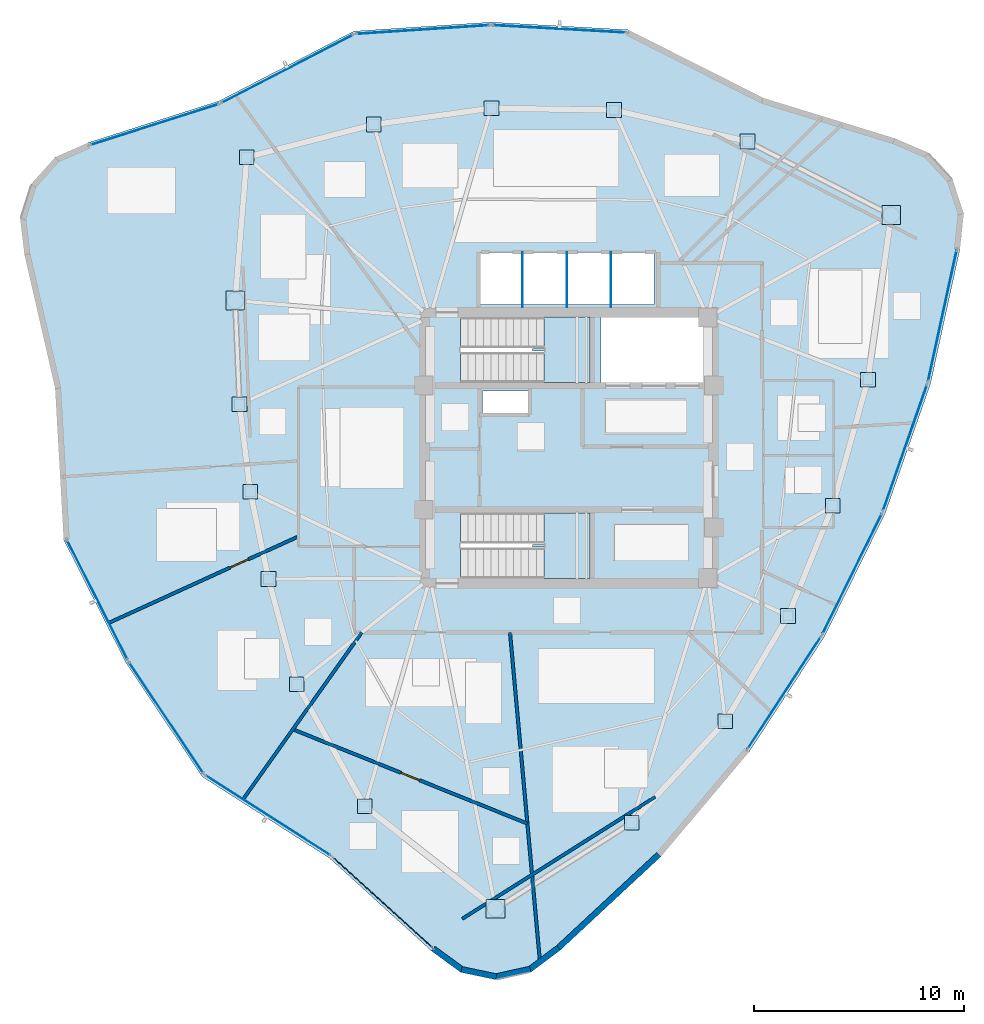
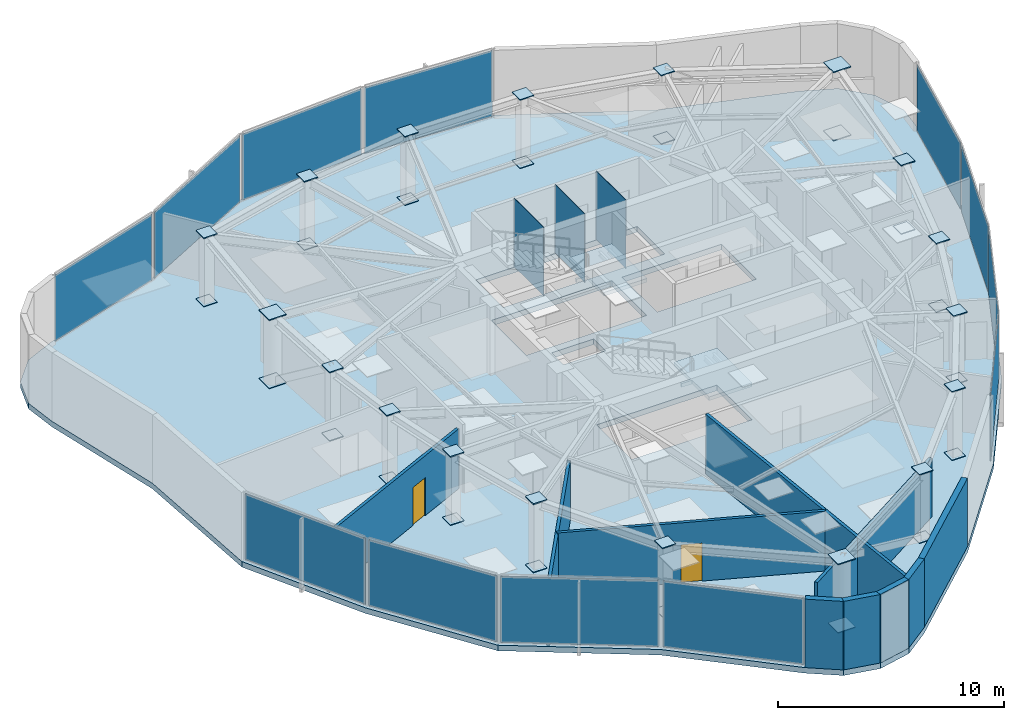
# One storey, part 7 of 13: 51 plates, 10 walls, 3 slabs, 2 doors, 2 openings, 14 elements without a shape of their own.
"""IFC4 building model written with IfcOpenShell, lengths in metres."""

from ifc_helpers import new_model, si_unit, direction, frame, frame_2d, origin, origin_2d, place, context, subcontext, project, spatial, polyline, rectangle, outline, extrude, source, transform, mapped, material, layer, layer_set, type_object, type_shapes, element, fill, aggregate, save


model = new_model("IFC4")

# Units and contexts
model_context = context("Model", 3, precision=1e-05, world=origin(), true_north=direction((0.0, 1.0)))
body_context = subcontext(model_context, "Body", "Model", "MODEL_VIEW")
ifc_project = project(units=[si_unit("LENGTHUNIT", "METRE"), si_unit("AREAUNIT", "SQUARE_METRE"), si_unit("VOLUMEUNIT", "CUBIC_METRE"), si_unit("PLANEANGLEUNIT", "RADIAN"), si_unit("MASSUNIT", "GRAM", prefix="KILO")], contexts=[model_context])

# Site, building, storey
site_placement = place(None, origin())
site = spatial("IfcSite", under=ifc_project, at=site_placement, CompositionType="ELEMENT")
building_placement = place(site_placement, origin())
building = spatial("IfcBuilding", under=site, at=building_placement, Name="Tavelor Broadcast Tower", CompositionType="ELEMENT")
storey_placement = place(building_placement, frame((0.0, 0.0, 297.5)))
storey = spatial("IfcBuildingStorey", under=building, at=storey_placement, Name="L71", CompositionType="ELEMENT", Elevation=297.5)

# Stair, slab
ifc_material_1 = material(Name="Concrete C40/50", Category="concrete")
stair_type = type_object("IfcStairType", Name="Reinforced Concrete Protected Dogleg Stair 1450 mm", PredefinedType="HALF_TURN_STAIR", material=ifc_material_1)
stair_1_placement = place(storey_placement, origin())
stair_1 = element("IfcStair", 1, at=stair_1_placement, inside=storey, type_object=stair_type, Name="L71 Protected Core Exit Stair ST1", PredefinedType="HALF_TURN_STAIR")
ifc_layer_1 = layer(ifc_material_1, 0.199951171875)
ifc_layer_set_1 = layer_set([ifc_layer_1], Name="Concrete C40/50")
slab_type_1 = type_object("IfcSlabType", Name="Reinforced Concrete Stair Half-Landing Slab 200 mm", PredefinedType="LANDING", material=ifc_layer_set_1)
slab_1_placement = place(storey_placement, frame((0.0, 0.0, 1.800048828125)))
slab_1 = element("IfcSlab", 2, at=slab_1_placement, type_object=slab_type_1, Name="ST1 landing 1", PredefinedType="LANDING", context=body_context, shape_type="SweptSolid", body=[
    extrude(outline(polyline([(48.804931640625, 49.590087890625), (48.804931640625, 48.094970703125), (51.0048828125, 48.094970703125), (51.0048828125, 51.205078125), (48.804931640625, 51.205078125), (48.804931640625, 49.7099609375), (48.264892578125, 49.7099609375), (48.264892578125, 49.590087890625), (48.804931640625, 49.590087890625)])), origin(), (0.0, 0.0, 1.0), 0.199951171875),
])
aggregate(stair_1, [slab_1])

stair_2_placement = place(storey_placement, origin())
stair_2 = element("IfcStair", 3, at=stair_2_placement, inside=storey, type_object=stair_type, Name="L71 Protected Core Exit Stair ST2", PredefinedType="HALF_TURN_STAIR")
slab_2_placement = place(storey_placement, frame((0.0, 0.0, 1.800048828125)))
slab_2 = element("IfcSlab", 4, at=slab_2_placement, type_object=slab_type_1, Name="ST2 landing 1", PredefinedType="LANDING", context=body_context, shape_type="SweptSolid", body=[
    extrude(outline(polyline([(48.804931640625, 40.2900390625), (48.804931640625, 38.794921875), (51.0048828125, 38.794921875), (51.0048828125, 41.905029296875), (48.804931640625, 41.905029296875), (48.804931640625, 40.409912109375), (48.264892578125, 40.409912109375), (48.264892578125, 40.2900390625), (48.804931640625, 40.2900390625)])), origin(), (0.0, 0.0, 1.0), 0.199951171875),
])
aggregate(stair_2, [slab_2])

# Slab
ifc_layer_2 = layer(ifc_material_1, 0.300048828125)
ifc_layer_set_2 = layer_set([ifc_layer_2], Name="Concrete C40/50")
slab_type_2 = type_object("IfcSlabType", Name="Tower Composite Floor Slab 300 mm", PredefinedType="FLOOR", material=ifc_layer_set_2)
slab_3_placement = place(storey_placement, frame((0.0, 0.0, -0.300048828125)))
element("IfcSlab", 5, at=slab_3_placement, inside=storey, type_object=slab_type_2, Name="L71 Structural Floor Slab", PredefinedType="FLOOR", context=body_context, shape_type="SweptSolid", body=[
    extrude(outline(polyline([(27.148193359375, 59.501220703125), (25.578857421875, 58.807373046875), (24.43408203125, 57.529296875), (23.91650390625, 55.89306640625), (24.118408203125, 54.189208984375), (25.5791015625, 47.823486328125), (25.986083984375, 40.62158203125), (28.93359375, 34.79345703125), (32.564453125, 29.364501953125), (38.638671875, 25.474609375), (43.467529296875, 21.076904296875), (44.85302734375, 20.064697265625), (46.532470703125, 19.71240234375), (48.2080078125, 20.082275390625), (49.582763671875, 21.10888671875), (54.365234375, 25.556884765625), (58.574462890625, 30.55078125), (62.148193359375, 36.017333984375), (65.034423828125, 41.876220703125), (67.190185546875, 48.041259765625), (68.584228515625, 54.422119140625), (68.76806640625, 56.1279296875), (68.2333984375, 57.758544921875), (67.075439453125, 59.024658203125), (65.498779296875, 59.701904296875), (59.255615234375, 61.619873046875), (52.815185546875, 64.867919921875), (46.294189453125, 65.229736328125), (39.777099609375, 64.7998046875), (33.37109375, 61.484130859375), (27.148193359375, 59.501220703125)]), holes=[polyline([(50.99609375, 41.89599609375), (50.99609375, 38.803955078125), (44.85400390625, 38.803955078125), (44.85400390625, 41.89599609375), (50.99609375, 41.89599609375)]), polyline([(48.050048828125, 47.699951171875), (48.050048828125, 46.64990234375), (45.89990234375, 46.64990234375), (45.89990234375, 47.699951171875), (48.050048828125, 47.699951171875)]), polyline([(50.99609375, 51.196044921875), (50.99609375, 48.10400390625), (44.85400390625, 48.10400390625), (44.85400390625, 51.196044921875), (50.99609375, 51.196044921875)]), polyline([(56.60009765625, 48.10009765625), (51.52001953125, 48.10009765625), (51.52001953125, 51.199951171875), (56.60009765625, 51.199951171875), (56.60009765625, 48.10009765625)]), polyline([(54.050048828125, 51.800048828125), (45.800048828125, 51.800048828125), (45.800048828125, 54.25), (54.050048828125, 54.25), (54.050048828125, 51.800048828125)])]), origin(), (0.0, 0.0, 1.0), 0.300048828125),
])

# Plates
ifc_material_2 = material(Name="Steel S460", Category="steel")
ifc_layer_3 = layer(ifc_material_2, 0.050048828125)
ifc_layer_set_3 = layer_set([ifc_layer_3], Name="Steel S460")
plate_type_1 = type_object("IfcPlateType", Name="Tube Hollow-End Cap Plate KN05 700x700x50", PredefinedType="USERDEFINED", material=ifc_layer_set_3)
shared_shape_1 = source(origin(), body_context, "Body", "SweptSolid", [
    extrude(rectangle(XDim=0.699951171875, YDim=0.699951171875, at=origin_2d()), origin(), (0.0, 0.0, 1.0), 0.054931640625),
])
for number, where, z_axis, x_axis, name in (
    (6, (34.341552734375, 47.061279296875, -0.02734375), (0.0, 0.0, 1.0), (1.0, 0.0, 0.0), "L71 Hollow End Cap Plate KN05 #2139"),
    (7, (34.341552734375, 47.061279296875, 3.67236328125), (0.0, 0.0, 1.0), (1.0, 0.0, 0.0), "L71 Hollow End Cap Plate KN05 #2140"),
    (8, (34.85400390625, 42.90185546875, -0.02734375), (0.0, 0.0, 1.0), (1.0, 0.0, 0.0), "L71 Hollow End Cap Plate KN05 #2141"),
    (9, (34.85400390625, 42.90185546875, 3.67236328125), (0.0, 0.0, 1.0), (1.0, 0.0, 0.0), "L71 Hollow End Cap Plate KN05 #2142"),
    (10, (35.716552734375, 38.757080078125, -0.02734375), (0.0, 0.0, 1.0), (1.0, 0.0, 0.0), "L71 Hollow End Cap Plate KN05 #2143"),
    (11, (35.716552734375, 38.757080078125, 3.67236328125), (0.0, 0.0, 1.0), (1.0, 0.0, 0.0), "L71 Hollow End Cap Plate KN05 #2144"),
    (12, (37.068115234375, 33.759521484375, -0.02734375), (0.0, 0.0, 1.0), (1.0, 0.0, 0.0), "L71 Hollow End Cap Plate KN05 #2145"),
    (13, (37.068115234375, 33.759521484375, 3.67236328125), (0.0, 0.0, 1.0), (1.0, 0.0, 0.0), "L71 Hollow End Cap Plate KN05 #2146"),
    (14, (40.29638671875, 27.95361328125, -0.02734375), (0.0, 0.0, 1.0), (1.0, 0.0, 0.0), "L71 Hollow End Cap Plate KN05 #2147"),
    (15, (40.29638671875, 27.95361328125, 3.67236328125), (0.0, 0.0, 1.0), (1.0, 0.0, 0.0), "L71 Hollow End Cap Plate KN05 #2148"),
    (16, (52.992919921875, 27.1767578125, -0.02734375), (0.0, 0.0, 1.0), (1.0, 0.0, 0.0), "L71 Hollow End Cap Plate KN05 #2151"),
    (17, (52.992919921875, 27.1767578125, 3.67236328125), (0.0, 0.0, 1.0), (1.0, 0.0, 0.0), "L71 Hollow End Cap Plate KN05 #2152"),
    (18, (57.431396484375, 31.9921875, -0.02734375), (0.0, 0.0, 1.0), (1.0, 0.0, 0.0), "L71 Hollow End Cap Plate KN05 #2153"),
    (19, (57.431396484375, 31.9921875, 3.67236328125), (0.0, 0.0, 1.0), (1.0, 0.0, 0.0), "L71 Hollow End Cap Plate KN05 #2154"),
    (20, (60.41748046875, 37.00439453125, -0.02734375), (0.0, 0.0, 1.0), (1.0, 0.0, 0.0), "L71 Hollow End Cap Plate KN05 #2155"),
    (21, (60.41748046875, 37.00439453125, 3.67236328125), (0.0, 0.0, 1.0), (1.0, 0.0, 0.0), "L71 Hollow End Cap Plate KN05 #2156"),
    (22, (62.543701171875, 42.240478515625, -0.02734375), (0.0, 0.0, 1.0), (1.0, 0.0, 0.0), "L71 Hollow End Cap Plate KN05 #2157"),
    (23, (62.543701171875, 42.240478515625, 3.67236328125), (0.0, 0.0, 1.0), (1.0, 0.0, 0.0), "L71 Hollow End Cap Plate KN05 #2158"),
    (24, (64.21435546875, 48.2373046875, -0.02734375), (0.0, 0.0, 1.0), (1.0, 0.0, 0.0), "L71 Hollow End Cap Plate KN05 #2159"),
    (25, (64.21435546875, 48.2373046875, 3.67236328125), (0.0, 0.0, 1.0), (1.0, 0.0, 0.0), "L71 Hollow End Cap Plate KN05 #2160"),
    (26, (58.485595703125, 59.55712890625, -0.02734375), (0.0, 0.0, 1.0), (1.0, 0.0, 0.0), "L71 Hollow End Cap Plate KN05 #2163"),
    (27, (58.485595703125, 59.55712890625, 3.67236328125), (0.0, 0.0, 1.0), (1.0, 0.0, 0.0), "L71 Hollow End Cap Plate KN05 #2164"),
    (28, (52.147216796875, 61.05078125, -0.02734375), (0.0, 0.0, 1.0), (1.0, 0.0, 0.0), "L71 Hollow End Cap Plate KN05 #2165"),
    (29, (52.147216796875, 61.05078125, 3.67236328125), (0.0, 0.0, 1.0), (1.0, 0.0, 0.0), "L71 Hollow End Cap Plate KN05 #2166"),
    (30, (46.3154296875, 61.13720703125, -0.02734375), (0.0, 0.0, 1.0), (1.0, 0.0, 0.0), "L71 Hollow End Cap Plate KN05 #2167"),
    (31, (46.3154296875, 61.13720703125, 3.67236328125), (0.0, 0.0, 1.0), (1.0, 0.0, 0.0), "L71 Hollow End Cap Plate KN05 #2168"),
    (32, (40.718017578125, 60.36083984375, -0.02734375), (0.0, 0.0, 1.0), (1.0, 0.0, 0.0), "L71 Hollow End Cap Plate KN05 #2169"),
    (33, (40.718017578125, 60.36083984375, 3.67236328125), (0.0, 0.0, 1.0), (1.0, 0.0, 0.0), "L71 Hollow End Cap Plate KN05 #2170"),
    (34, (34.689208984375, 58.80908203125, -0.02734375), (0.0, 0.0, 1.0), (1.0, 0.0, 0.0), "L71 Hollow End Cap Plate KN05 #2171"),
    (35, (34.689208984375, 58.80908203125, 3.67236328125), (0.0, 0.0, 1.0), (1.0, 0.0, 0.0), "L71 Hollow End Cap Plate KN05 #2172"),
):
    element("IfcPlate", number, at=place(storey_placement, frame(where, z_axis=z_axis, x_axis=x_axis)), inside=storey, type_object=plate_type_1, Name=name, ObjectType="CAP PLATE", PredefinedType="USERDEFINED", context=body_context, shape_type="MappedRepresentation", body=[
        mapped(shared_shape_1, transform((0.0, 0.0, 0.0), scale=1.0)),
    ])
shared_shape_2 = source(origin(), body_context, "Body", "SweptSolid", [
    extrude(rectangle(XDim=0.89306640625, YDim=0.89306640625, at=origin_2d()), origin(), (0.0, 0.0, 1.0), 0.054931640625),
])
type_shapes(plate_type_1, [shared_shape_1, shared_shape_2])
for number, where, z_axis, x_axis, name in (
    (36, (34.134765625, 51.995849609375, -0.02734375), (0.0, 0.0, 1.0), (1.0, 0.0, 0.0), "L71 Hollow End Cap Plate KN05 #2137"),
    (37, (34.134765625, 51.995849609375, 3.67236328125), (0.0, 0.0, 1.0), (1.0, 0.0, 0.0), "L71 Hollow End Cap Plate KN05 #2138"),
    (38, (46.5146484375, 23.08740234375, -0.02734375), (0.0, 0.0, 1.0), (1.0, 0.0, 0.0), "L71 Hollow End Cap Plate KN05 #2149"),
    (39, (46.5146484375, 23.08740234375, 3.67236328125), (0.0, 0.0, 1.0), (1.0, 0.0, 0.0), "L71 Hollow End Cap Plate KN05 #2150"),
    (40, (65.319580078125, 56.0556640625, -0.02734375), (0.0, 0.0, 1.0), (1.0, 0.0, 0.0), "L71 Hollow End Cap Plate KN05 #2161"),
    (41, (65.319580078125, 56.0556640625, 3.67236328125), (0.0, 0.0, 1.0), (1.0, 0.0, 0.0), "L71 Hollow End Cap Plate KN05 #2162"),
):
    element("IfcPlate", number, at=place(storey_placement, frame(where, z_axis=z_axis, x_axis=x_axis)), inside=storey, type_object=plate_type_1, Name=name, ObjectType="CAP PLATE", PredefinedType="USERDEFINED", context=body_context, shape_type="MappedRepresentation", body=[
        mapped(shared_shape_2, transform((0.0, 0.0, 0.0), scale=1.0)),
    ])
ifc_material_3 = material(Name="Steel S355", Category="steel")
ifc_layer_4 = layer(ifc_material_3, 0.011962890625)
ifc_layer_set_4 = layer_set([ifc_layer_4], Name="Steel S355")
plate_type_2 = type_object("IfcPlateType", Name="Hoistway Steel Separator Screen 12 mm", PredefinedType="SHEET", material=ifc_layer_set_4)
shared_shape_3 = source(origin(), body_context, "Body", "SweptSolid", [
    extrude(rectangle(XDim=0.02001953125, YDim=2.6201171875, at=origin_2d()), origin(), (0.0, 0.0, 1.0), 3.699951171875),
])
type_shapes(plate_type_2, [shared_shape_3])
for number, where, z_axis, x_axis, name in (
    (42, (47.800048828125, 52.989990234375, 0.0), (0.0, 0.0, 1.0), (1.0, 0.0, 0.0), "L71 High-Rise Hoistway Separator Screen 1"),
    (43, (49.89990234375, 52.989990234375, 0.0), (0.0, 0.0, 1.0), (1.0, 0.0, 0.0), "L71 High-Rise Hoistway Separator Screen 2"),
    (44, (52.0, 52.989990234375, 0.0), (0.0, 0.0, 1.0), (1.0, 0.0, 0.0), "L71 High-Rise Hoistway Separator Screen 3"),
):
    element("IfcPlate", number, at=place(storey_placement, frame(where, z_axis=z_axis, x_axis=x_axis)), inside=storey, type_object=plate_type_2, Name=name, PredefinedType="SHEET", context=body_context, shape_type="MappedRepresentation", body=[
        mapped(shared_shape_3, transform((0.0, 0.0, 0.0), scale=1.0)),
    ])

# Curtain wall, plate
ifc_material_4 = material(Name="Architectural Anodized Aluminium", Category="aluminium")
ifc_layer_5 = layer(ifc_material_4, 0.199951171875)
ifc_layer_set_5 = layer_set([ifc_layer_5], Name="Architectural Anodized Aluminium")
curtain_wall_type = type_object("IfcCurtainWallType", Name="Tower High-Zone Triple-Glazed Curtain Wall CW04", PredefinedType="NOTDEFINED", material=ifc_layer_set_5)
curtain_wall_1_placement = place(storey_placement, origin())
curtain_wall_1 = element("IfcCurtainWall", 45, at=curtain_wall_1_placement, inside=storey, type_object=curtain_wall_type, Name="L71 Curtain Wall CW04 Run 781", PredefinedType="NOTDEFINED")
ifc_material_5 = material(Name="High-Altitude Triple Glazing 36 mm", Category="glass")
ifc_layer_6 = layer(ifc_material_5, 0.035888671875)
ifc_layer_set_6 = layer_set([ifc_layer_6], Name="High-Altitude Triple Glazing 36 mm")
plate_type_3 = type_object("IfcPlateType", Name="CW04 Insulated Vision Glazing Panel 36 mm", PredefinedType="CURTAIN_PANEL", material=ifc_layer_set_6)
shared_shape_4 = source(origin(), body_context, "Body", "SweptSolid", [
    extrude(rectangle(XDim=6.33837890625, YDim=0.035888671875, at=origin_2d()), origin(), (0.0, 0.0, 1.0), 3.56005859375),
])
plate_1_placement = place(storey_placement, frame((27.5859375, 37.76806640625, 0.070068359375), z_axis=(0.0, 0.0, 1.0), x_axis=(0.45126552349, -0.892389728375, 0.0)))
plate_1 = element("IfcPlate", 46, at=plate_1_placement, type_object=plate_type_3, Name="CW04 panel 1.1", PredefinedType="CURTAIN_PANEL", context=body_context, shape_type="MappedRepresentation", body=[
    mapped(shared_shape_4, transform((0.0, 0.0, 0.0), scale=1.0)),
])
aggregate(curtain_wall_1, [plate_1])

curtain_wall_2_placement = place(storey_placement, origin())
curtain_wall_2 = element("IfcCurtainWall", 47, at=curtain_wall_2_placement, inside=storey, type_object=curtain_wall_type, Name="L71 Curtain Wall CW04 Run 789", PredefinedType="NOTDEFINED")
plate_2_placement = place(storey_placement, frame((49.5439453125, 64.9091796875, 0.070068359375), z_axis=(0.0, 0.0, 1.0), x_axis=(-0.998464292748, 0.055399062324, 0.0)))
plate_2 = element("IfcPlate", 48, at=plate_2_placement, type_object=plate_type_3, Name="CW04 panel 1.1", PredefinedType="CURTAIN_PANEL", context=body_context, shape_type="MappedRepresentation", body=[
    mapped(shared_shape_4, transform((0.0, 0.0, 0.0), scale=1.0)),
])
aggregate(curtain_wall_2, [plate_2])

curtain_wall_3_placement = place(storey_placement, origin())
curtain_wall_3 = element("IfcCurtainWall", 49, at=curtain_wall_3_placement, inside=storey, type_object=curtain_wall_type, Name="L71 Curtain Wall CW04 Run 782", PredefinedType="NOTDEFINED")
shared_shape_5 = source(origin(), body_context, "Body", "SweptSolid", [
    extrude(rectangle(XDim=6.323486328125, YDim=0.035888671875, at=origin_2d()), origin(), (0.0, 0.0, 1.0), 3.56005859375),
])
plate_3_placement = place(storey_placement, frame((30.859619140625, 32.165283203125, 0.070068359375), z_axis=(0.0, 0.0, 1.0), x_axis=(0.555938493848, -0.831223430287, 0.0)))
plate_3 = element("IfcPlate", 50, at=plate_3_placement, type_object=plate_type_3, Name="CW04 panel 1.1", PredefinedType="CURTAIN_PANEL", context=body_context, shape_type="MappedRepresentation", body=[
    mapped(shared_shape_5, transform((0.0, 0.0, 0.0), scale=1.0)),
])
aggregate(curtain_wall_3, [plate_3])

curtain_wall_4_placement = place(storey_placement, origin())
curtain_wall_4 = element("IfcCurtainWall", 51, at=curtain_wall_4_placement, inside=storey, type_object=curtain_wall_type, Name="L71 Curtain Wall CW04 Run 790", PredefinedType="NOTDEFINED")
plate_4_placement = place(storey_placement, frame((43.05517578125, 64.875732421875, 0.070068359375), z_axis=(0.0, 0.0, 1.0), x_axis=(-0.997828687163, -0.065862820125, 0.0)))
plate_4 = element("IfcPlate", 52, at=plate_4_placement, type_object=plate_type_3, Name="CW04 panel 1.1", PredefinedType="CURTAIN_PANEL", context=body_context, shape_type="MappedRepresentation", body=[
    mapped(shared_shape_5, transform((0.0, 0.0, 0.0), scale=1.0)),
])
aggregate(curtain_wall_4, [plate_4])

curtain_wall_5_placement = place(storey_placement, origin())
curtain_wall_5 = element("IfcCurtainWall", 53, at=curtain_wall_5_placement, inside=storey, type_object=curtain_wall_type, Name="L71 Curtain Wall CW04 Run 783", PredefinedType="NOTDEFINED")
shared_shape_6 = source(origin(), body_context, "Body", "SweptSolid", [
    extrude(rectangle(XDim=7.025634765625, YDim=0.035888671875, at=origin_2d()), origin(), (0.0, 0.0, 1.0), 3.56005859375),
])
plate_5_placement = place(storey_placement, frame((35.6943359375, 27.5263671875, 0.070068359375), z_axis=(0.0, 0.0, 1.0), x_axis=(0.842120314236, -0.539289696129, 0.0)))
plate_5 = element("IfcPlate", 54, at=plate_5_placement, type_object=plate_type_3, Name="CW04 panel 1.1", PredefinedType="CURTAIN_PANEL", context=body_context, shape_type="MappedRepresentation", body=[
    mapped(shared_shape_6, transform((0.0, 0.0, 0.0), scale=1.0)),
])
aggregate(curtain_wall_5, [plate_5])

curtain_wall_6_placement = place(storey_placement, origin())
curtain_wall_6 = element("IfcCurtainWall", 55, at=curtain_wall_6_placement, inside=storey, type_object=curtain_wall_type, Name="L71 Curtain Wall CW04 Run 784", PredefinedType="NOTDEFINED")
shared_shape_7 = source(origin(), body_context, "Body", "SweptSolid", [
    extrude(rectangle(XDim=6.38037109375, YDim=0.035888671875, at=origin_2d()), origin(), (0.0, 0.0, 1.0), 3.56005859375),
])
plate_6_placement = place(storey_placement, frame((41.145751953125, 23.380615234375, 0.070068359375), z_axis=(0.0, 0.0, 1.0), x_axis=(0.739347153169, -0.673324429307, 0.0)))
plate_6 = element("IfcPlate", 56, at=plate_6_placement, type_object=plate_type_3, Name="CW04 panel 1.1", PredefinedType="CURTAIN_PANEL", context=body_context, shape_type="MappedRepresentation", body=[
    mapped(shared_shape_7, transform((0.0, 0.0, 0.0), scale=1.0)),
])
aggregate(curtain_wall_6, [plate_6])

curtain_wall_7_placement = place(storey_placement, origin())
curtain_wall_7 = element("IfcCurtainWall", 57, at=curtain_wall_7_placement, inside=storey, type_object=curtain_wall_type, Name="L71 Curtain Wall CW04 Run 792", PredefinedType="NOTDEFINED")
plate_7_placement = place(storey_placement, frame((30.30419921875, 60.35986328125, 0.070068359375), z_axis=(0.0, 0.0, 1.0), x_axis=(-0.952785493076, -0.30364420657, 0.0)))
plate_7 = element("IfcPlate", 58, at=plate_7_placement, type_object=plate_type_3, Name="CW04 panel 1.1", PredefinedType="CURTAIN_PANEL", context=body_context, shape_type="MappedRepresentation", body=[
    mapped(shared_shape_7, transform((0.0, 0.0, 0.0), scale=1.0)),
])
aggregate(curtain_wall_7, [plate_7])

curtain_wall_8_placement = place(storey_placement, origin())
curtain_wall_8 = element("IfcCurtainWall", 59, at=curtain_wall_8_placement, inside=storey, type_object=curtain_wall_type, Name="L71 Curtain Wall CW04 Run 785", PredefinedType="NOTDEFINED")
shared_shape_8 = source(origin(), body_context, "Body", "SweptSolid", [
    extrude(rectangle(XDim=6.359130859375, YDim=0.035888671875, at=origin_2d()), origin(), (0.0, 0.0, 1.0), 3.56005859375),
])
plate_8_placement = place(storey_placement, frame((60.240234375, 33.354248046875, 0.070068359375), z_axis=(0.0, 0.0, 1.0), x_axis=(0.547196297791, 0.837004308044, 0.0)))
plate_8 = element("IfcPlate", 60, at=plate_8_placement, type_object=plate_type_3, Name="CW04 panel 1.1", PredefinedType="CURTAIN_PANEL", context=body_context, shape_type="MappedRepresentation", body=[
    mapped(shared_shape_8, transform((0.0, 0.0, 0.0), scale=1.0)),
])
aggregate(curtain_wall_8, [plate_8])

curtain_wall_9_placement = place(storey_placement, origin())
curtain_wall_9 = element("IfcCurtainWall", 61, at=curtain_wall_9_placement, inside=storey, type_object=curtain_wall_type, Name="L71 Curtain Wall CW04 Run 786", PredefinedType="NOTDEFINED")
shared_shape_9 = source(origin(), body_context, "Body", "SweptSolid", [
    extrude(rectangle(XDim=6.34423828125, YDim=0.035888671875, at=origin_2d()), origin(), (0.0, 0.0, 1.0), 3.56005859375),
])
plate_9_placement = place(storey_placement, frame((63.4658203125, 39.008544921875, 0.070068359375), z_axis=(0.0, 0.0, 1.0), x_axis=(0.441888167157, 0.897070146492, 0.0)))
plate_9 = element("IfcPlate", 62, at=plate_9_placement, type_object=plate_type_3, Name="CW04 panel 1.1", PredefinedType="CURTAIN_PANEL", context=body_context, shape_type="MappedRepresentation", body=[
    mapped(shared_shape_9, transform((0.0, 0.0, 0.0), scale=1.0)),
])
aggregate(curtain_wall_9, [plate_9])

curtain_wall_10_placement = place(storey_placement, origin())
curtain_wall_10 = element("IfcCurtainWall", 63, at=curtain_wall_10_placement, inside=storey, type_object=curtain_wall_type, Name="L71 Curtain Wall CW04 Run 787", PredefinedType="NOTDEFINED")
plate_10_placement = place(storey_placement, frame((65.980224609375, 45.0048828125, 0.070068359375), z_axis=(0.0, 0.0, 1.0), x_axis=(0.330096925314, 0.943947042952, 0.0)))
plate_10 = element("IfcPlate", 64, at=plate_10_placement, type_object=plate_type_3, Name="CW04 panel 1.1", PredefinedType="CURTAIN_PANEL", context=body_context, shape_type="MappedRepresentation", body=[
    mapped(shared_shape_9, transform((0.0, 0.0, 0.0), scale=1.0)),
])
aggregate(curtain_wall_10, [plate_10])

curtain_wall_11_placement = place(storey_placement, origin())
curtain_wall_11 = element("IfcCurtainWall", 65, at=curtain_wall_11_placement, inside=storey, type_object=curtain_wall_type, Name="L71 Curtain Wall CW04 Run 788", PredefinedType="NOTDEFINED")
shared_shape_10 = source(origin(), body_context, "Body", "SweptSolid", [
    extrude(rectangle(XDim=6.360107421875, YDim=0.035888671875, at=origin_2d()), origin(), (0.0, 0.0, 1.0), 3.56005859375),
])
plate_11_placement = place(storey_placement, frame((67.752197265625, 51.269287109375, 0.070068359375), z_axis=(0.0, 0.0, 1.0), x_axis=(0.213425259512, 0.976959394551, 0.0)))
plate_11 = element("IfcPlate", 66, at=plate_11_placement, type_object=plate_type_3, Name="CW04 panel 1.1", PredefinedType="CURTAIN_PANEL", context=body_context, shape_type="MappedRepresentation", body=[
    mapped(shared_shape_10, transform((0.0, 0.0, 0.0), scale=1.0)),
])
aggregate(curtain_wall_11, [plate_11])

curtain_wall_12_placement = place(storey_placement, origin())
curtain_wall_12 = element("IfcCurtainWall", 67, at=curtain_wall_12_placement, inside=storey, type_object=curtain_wall_type, Name="L71 Curtain Wall CW04 Run 791", PredefinedType="NOTDEFINED")
shared_shape_11 = source(origin(), body_context, "Body", "SweptSolid", [
    extrude(rectangle(XDim=7.02587890625, YDim=0.035888671875, at=origin_2d()), origin(), (0.0, 0.0, 1.0), 3.56005859375),
])
type_shapes(plate_type_3, [shared_shape_4, shared_shape_5, shared_shape_6, shared_shape_7, shared_shape_8, shared_shape_9, shared_shape_10, shared_shape_11])
plate_12_placement = place(storey_placement, frame((36.6201171875, 63.008056640625, 0.070068359375), z_axis=(0.0, 0.0, 1.0), x_axis=(-0.888108046536, -0.459634743768, 0.0)))
plate_12 = element("IfcPlate", 68, at=plate_12_placement, type_object=plate_type_3, Name="CW04 panel 1.1", PredefinedType="CURTAIN_PANEL", context=body_context, shape_type="MappedRepresentation", body=[
    mapped(shared_shape_11, transform((0.0, 0.0, 0.0), scale=1.0)),
])
aggregate(curtain_wall_12, [plate_12])

# Walls
ifc_material_6 = material(Name="Precast Concrete C40/50", Category="concrete")
ifc_layer_7 = layer(ifc_material_6, 0.280029296875)
ifc_layer_set_7 = layer_set([ifc_layer_7], Name="Precast Concrete C40/50")
wall_type_1 = type_object("IfcWallType", Name="Insulated Precast Terracotta Facade Wall 280 mm", PredefinedType="STANDARD", material=ifc_layer_set_7)
wall_1_placement = place(storey_placement, frame((43.552978515625, 21.18798828125, 0.0), z_axis=(0.0, 0.0, 1.0), x_axis=(0.807496524536, -0.589872327595, 0.0)))
element("IfcWall", 69, at=wall_1_placement, inside=storey, type_object=wall_type_1, Name="L71 Rounded Corner Structural Cladding Pier 11", PredefinedType="STANDARD", context=body_context, shape_type="SweptSolid", body=[
    extrude(rectangle(XDim=1.697265625, YDim=0.280029296875, at=frame_2d((0.8486328125, 0.0))), origin(), (0.0, 0.0, 1.0), 3.699951171875),
])
wall_2_placement = place(storey_placement, frame((44.896728515625, 20.198486328125, 0.0), z_axis=(0.0, 0.0, 1.0), x_axis=(0.978681745031, -0.205382671963, 0.0)))
element("IfcWall", 70, at=wall_2_placement, inside=storey, type_object=wall_type_1, Name="L71 Rounded Corner Structural Cladding Pier 12", PredefinedType="STANDARD", context=body_context, shape_type="SweptSolid", body=[
    extrude(rectangle(XDim=1.685546875, YDim=0.280029296875, at=frame_2d((0.8427734375, 0.0))), origin(), (0.0, 0.0, 1.0), 3.699951171875),
])
wall_3_placement = place(storey_placement, frame((46.51708984375, 19.852294921875, 0.0), z_axis=(0.0, 0.0, 1.0), x_axis=(0.976462344772, 0.215687944128, 0.0)))
element("IfcWall", 71, at=wall_3_placement, inside=storey, type_object=wall_type_1, Name="L71 Rounded Corner Structural Cladding Pier 13", PredefinedType="STANDARD", context=body_context, shape_type="SweptSolid", body=[
    extrude(rectangle(XDim=1.685302734375, YDim=0.280029296875, at=frame_2d((0.8427734375, 0.0))), origin(), (0.0, 0.0, 1.0), 3.699951171875),
])
wall_4_placement = place(storey_placement, frame((48.13623046875, 20.20361328125, 0.0), z_axis=(0.0, 0.0, 1.0), x_axis=(0.801267431416, 0.598306362453, 0.0)))
element("IfcWall", 72, at=wall_4_placement, inside=storey, type_object=wall_type_1, Name="L71 Rounded Corner Structural Cladding Pier 14", PredefinedType="STANDARD", context=body_context, shape_type="SweptSolid", body=[
    extrude(rectangle(XDim=1.7080078125, YDim=0.280029296875, at=frame_2d((0.85400390625, 0.0))), origin(), (0.0, 0.0, 1.0), 3.699951171875),
])
wall_5_placement = place(storey_placement, frame((49.48193359375, 21.206298828125, 0.0), z_axis=(0.0, 0.0, 1.0), x_axis=(0.732249894204, 0.68103604342, 0.0)))
element("IfcWall", 73, at=wall_5_placement, inside=storey, type_object=wall_type_1, Name="L71 Rounded Corner Structural Cladding Pier 15", PredefinedType="STANDARD", context=body_context, shape_type="SweptSolid", body=[
    extrude(rectangle(XDim=6.545166015625, YDim=0.280029296875, at=frame_2d((3.2724609375, 0.0))), origin(), (0.0, 0.0, 1.0), 3.699951171875),
])
ifc_material_7 = material(Name="Gypsum Acoustic Plasterboard 150 mm", Category="gypsum")
ifc_layer_8 = layer(ifc_material_7, 0.14990234375)
ifc_layer_set_8 = layer_set([ifc_layer_8], Name="Gypsum Acoustic Plasterboard 150 mm")
wall_type_2 = type_object("IfcWallType", Name="Interior Acoustic Partition Wall 150 mm", PredefinedType="PARTITIONING", material=ifc_layer_set_8)
wall_6_placement = place(storey_placement, frame((44.9267578125, 22.60546875, 0.0), z_axis=(0.0, 0.0, 1.0), x_axis=(0.845624548895, 0.533778158326, 0.0)))
element("IfcWall", 74, at=wall_6_placement, inside=storey, type_object=wall_type_2, Name="L71 Corner Tube Brace Furring Wall 2", PredefinedType="PARTITIONING", context=body_context, shape_type="SweptSolid", body=[
    extrude(rectangle(XDim=10.861083984375, YDim=0.14990234375, at=frame_2d((5.4306640625, 0.0))), origin(), (0.0, 0.0, 1.0), 3.175048828125),
])

# Wall, opening, door
wall_7_placement = place(storey_placement, frame((37.080078125, 40.752685546875, 0.0), z_axis=(0.0, 0.0, 1.0), x_axis=(-0.909953808147, -0.414709617732, 0.0)))
wall_7 = element("IfcWall", 75, at=wall_7_placement, inside=storey, type_object=wall_type_2, Name="L71 Radial Compartment Wall 01", PredefinedType="PARTITIONING", context=body_context, shape_type="SweptSolid", body=[
    extrude(rectangle(XDim=9.837158203125, YDim=0.14990234375, at=frame_2d((4.91845703125, 0.0))), origin(), (0.0, 0.0, 1.0), 3.235107421875),
])
opening_1_placement = place(wall_7_placement, frame((2.550048828125, 0.0, 0.0)))
opening_1 = element("IfcOpeningElement", 76, at=opening_1_placement, cuts=wall_7, Name="Opening DR18", PredefinedType="OPENING", context=body_context, shape_type="SweptSolid", body=[
    extrude(rectangle(XDim=0.949951171875, YDim=2.050048828125, at=frame_2d((0.47509765625, 1.02490234375))), frame((0.0, 0.0849609375, 0.0), z_axis=(0.0, -1.0, 0.0), x_axis=(1.0, 0.0, 0.0)), (0.0, 0.0, 1.0), 0.169921875),
])
ifc_material_8 = material(Name="Timber Solid Core Hardwood", Category="wood")
door_type_1 = type_object("IfcDoorType", Name="Corridor Rated Compartment Door 950x2050", OperationType="NOTDEFINED", PredefinedType="DOOR", material=ifc_material_8)
door_1_placement = place(opening_1_placement, origin())
door_1 = element("IfcDoor", 77, at=door_1_placement, inside=storey, type_object=door_type_1, Name="L71 Suite Connecting Door 4", OperationType="SINGLE_SWING_RIGHT", OverallHeight=2.050048828125, OverallWidth=0.949951171875, PredefinedType="DOOR", context=body_context, shape_type="SweptSolid", body=[
    extrude(rectangle(XDim=0.949951171875, YDim=2.050048828125, at=frame_2d((0.47509765625, 1.02490234375))), frame((0.0, 0.02490234375, 0.0), z_axis=(0.0, -1.0, 0.0), x_axis=(1.0, 0.0, 0.0)), (0.0, 0.0, 1.0), 0.050048828125),
])
fill(opening_1, door_1)

# Walls
wall_8_placement = place(storey_placement, frame((40.154296875, 36.219970703125, 0.0), z_axis=(0.0, 0.0, 1.0), x_axis=(-0.579656851694, -0.814860683973, 0.0)))
element("IfcWall", 78, at=wall_8_placement, inside=storey, type_object=wall_type_2, Name="L71 Radial Compartment Wall 02", PredefinedType="PARTITIONING", context=body_context, shape_type="SweptSolid", body=[
    extrude(rectangle(XDim=9.747802734375, YDim=0.14990234375, at=frame_2d((4.8740234375, 0.0))), origin(), (0.0, 0.0, 1.0), 3.175048828125),
])
wall_9_placement = place(storey_placement, frame((47.19921875, 36.219970703125, 0.0), z_axis=(0.0, 0.0, 1.0), x_axis=(0.090664502259, -0.995881492965, 0.0)))
element("IfcWall", 79, at=wall_9_placement, inside=storey, type_object=wall_type_2, Name="L71 Radial Compartment Wall 03", PredefinedType="PARTITIONING", context=body_context, shape_type="SweptSolid", body=[
    extrude(rectangle(XDim=15.728515625, YDim=0.14990234375, at=frame_2d((7.8642578125, 0.0))), origin(), (0.0, 0.0, 1.0), 3.235107421875),
])

# Wall, opening, door
wall_10_placement = place(storey_placement, frame((36.876953125, 31.613037109375, 0.0), z_axis=(0.0, 0.0, 1.0), x_axis=(0.92795166299, -0.372700565003, 0.0)))
wall_10 = element("IfcWall", 80, at=wall_10_placement, inside=storey, type_object=wall_type_2, Name="L71 Suite Chord Partition Wall 01", PredefinedType="PARTITIONING", context=body_context, shape_type="SweptSolid", body=[
    extrude(rectangle(XDim=12.01513671875, YDim=0.14990234375, at=frame_2d((6.007568359375, 0.0))), origin(), (0.0, 0.0, 1.0), 3.235107421875),
])
opening_2_placement = place(wall_10_placement, frame((5.532470703125, 0.0, 0.0)))
opening_2 = element("IfcOpeningElement", 81, at=opening_2_placement, cuts=wall_10, Name="Opening DR23", PredefinedType="OPENING", context=body_context, shape_type="SweptSolid", body=[
    extrude(rectangle(XDim=0.949951171875, YDim=2.050048828125, at=frame_2d((0.47509765625, 1.02490234375))), frame((0.0, 0.0849609375, 0.0), z_axis=(0.0, -1.0, 0.0), x_axis=(1.0, 0.0, 0.0)), (0.0, 0.0, 1.0), 0.169921875),
])
door_type_2 = type_object("IfcDoorType", Name="Editorial Room Acoustic Door 950x2050", OperationType="NOTDEFINED", PredefinedType="DOOR", material=ifc_material_8)
door_2_placement = place(opening_2_placement, origin())
door_2 = element("IfcDoor", 82, at=door_2_placement, inside=storey, type_object=door_type_2, Name="L71 Outer Suite Partition Door 1", OperationType="SINGLE_SWING_RIGHT", OverallHeight=2.050048828125, OverallWidth=0.949951171875, PredefinedType="DOOR", context=body_context, shape_type="SweptSolid", body=[
    extrude(rectangle(XDim=0.949951171875, YDim=2.050048828125, at=frame_2d((0.47509765625, 1.02490234375))), frame((0.0, 0.02490234375, 0.0), z_axis=(0.0, -1.0, 0.0), x_axis=(1.0, 0.0, 0.0)), (0.0, 0.0, 1.0), 0.050048828125),
])
fill(opening_2, door_2)

save(model, "model.ifc")
